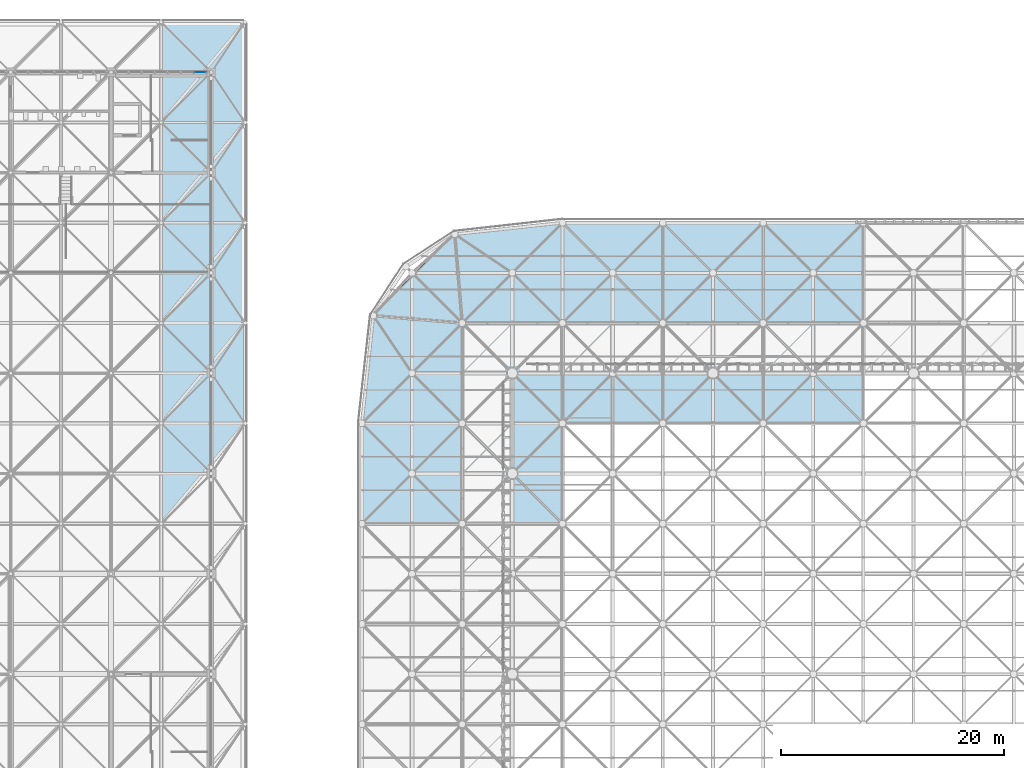
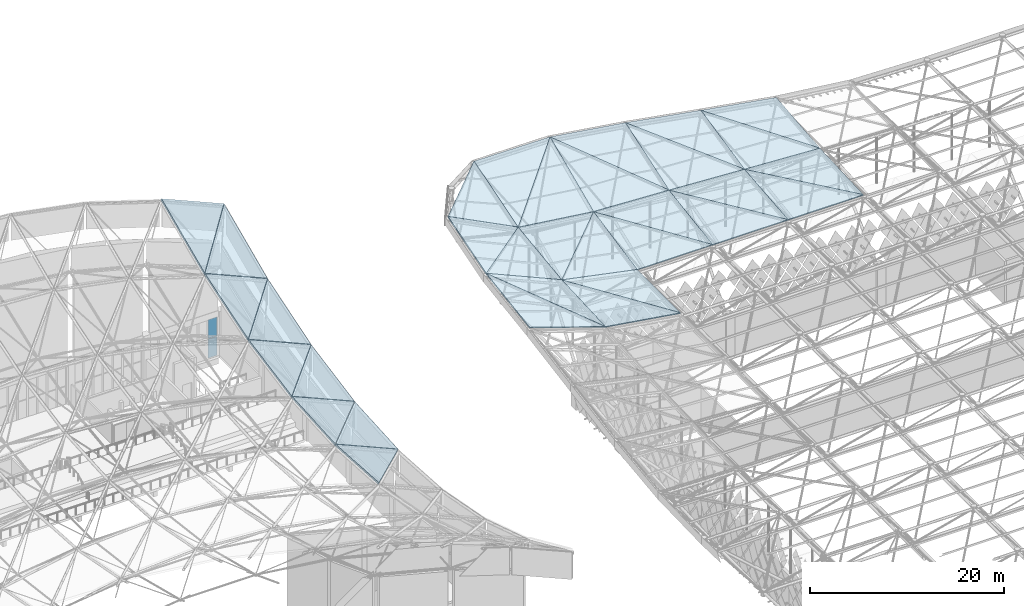
# One storey, part 245 of 437: 32 slabs, 2 plates, 1 element without a shape of its own.
"""IFC4 building model written with IfcOpenShell, lengths in metres."""

from ifc_helpers import new_model, si_unit, direction, frame, origin, origin_2d, place, context, subcontext, project, spatial, polyline, rectangle, outline, extrude, material, layer, layer_set, type_object, element, aggregate, save


model = new_model("IFC4")

# Units and contexts
model_context = context("Model", 3, precision=1e-05, world=origin(), true_north=direction((0.0, 1.0)))
body_context = subcontext(model_context, "Body", "Model", "MODEL_VIEW")
ifc_project = project(units=[si_unit("LENGTHUNIT", "METRE"), si_unit("AREAUNIT", "SQUARE_METRE"), si_unit("VOLUMEUNIT", "CUBIC_METRE"), si_unit("PLANEANGLEUNIT", "RADIAN"), si_unit("MASSUNIT", "GRAM", prefix="KILO")], contexts=[model_context])

# Site, building, storey
site_placement = place(None, origin())
site = spatial("IfcSite", under=ifc_project, at=site_placement, CompositionType="ELEMENT")
building_placement = place(site_placement, origin())
building = spatial("IfcBuilding", under=site, at=building_placement, Name="Opaline Strait Convention Centre", CompositionType="ELEMENT")
storey_placement = place(building_placement, frame((0.0, 0.0, 11.5)))
storey = spatial("IfcBuildingStorey", under=building, at=storey_placement, Name="L02", CompositionType="ELEMENT", Elevation=11.5)

# Curtain wall, plates
ifc_material_1 = material(Name="Aluminium framed double glazing", Category="aluminium")
ifc_layer_1 = layer(ifc_material_1, 0.199951171875)
ifc_layer_set_1 = layer_set([ifc_layer_1], Name="Aluminium framed double glazing")
curtain_wall_type = type_object("IfcCurtainWallType", Name="Curtain wall 1250", PredefinedType="NOTDEFINED", material=ifc_layer_set_1)
curtain_wall_placement = place(storey_placement, origin())
curtain_wall = element("IfcCurtainWall", 1, at=curtain_wall_placement, inside=storey, type_object=curtain_wall_type, Name="Curtain wall N-63-L02", PredefinedType="NOTDEFINED")
ifc_material_2 = material(Name="Double glazed unit low emissivity", Category="glass")
ifc_layer_2 = layer(ifc_material_2, 0.028076171875)
ifc_layer_set_2 = layer_set([ifc_layer_2], Name="Double glazed unit low emissivity")
plate_type = type_object("IfcPlateType", Name="Curtain wall glass panel 28", PredefinedType="CURTAIN_PANEL", material=ifc_layer_set_2)
plate_1_placement = place(storey_placement, frame((70.999267578125, 180.0, -0.219970703125), z_axis=(0.0, 0.0, 1.0), x_axis=(1.0, 0.0, 0.0)))
plate_1 = element("IfcPlate", 2, at=plate_1_placement, type_object=plate_type, Name="PCW panel 7.1", PredefinedType="CURTAIN_PANEL", context=body_context, shape_type="SweptSolid", body=[
    extrude(rectangle(XDim=1.08154296875, YDim=0.028076171875, at=origin_2d()), origin(), (0.0, 0.0, 1.0), 2.39990234375),
])
plate_2_placement = place(storey_placement, frame((70.999267578125, 180.0, 2.239990234375), z_axis=(0.0, 0.0, 1.0), x_axis=(1.0, 0.0, 0.0)))
plate_2 = element("IfcPlate", 3, at=plate_2_placement, type_object=plate_type, Name="PCW panel 7.2", PredefinedType="CURTAIN_PANEL", context=body_context, shape_type="SweptSolid", body=[
    extrude(rectangle(XDim=1.08154296875, YDim=0.028076171875, at=origin_2d()), origin(), (0.0, 0.0, 1.0), 2.39990234375),
])
aggregate(curtain_wall, [plate_1, plate_2])

# Slabs
ifc_material_3 = material(Name="Steel Q235-B insulated roof panel", Category="steel")
ifc_layer_3 = layer(ifc_material_3, 0.1201171875)
ifc_layer_set_3 = layer_set([ifc_layer_3], Name="Steel Q235-B insulated roof panel")
slab_type_1 = type_object("IfcSlabType", Name="Insulated roof panel 120 steel Q235B facings", PredefinedType="ROOF", material=ifc_layer_set_3)
slab_1_placement = place(storey_placement, frame((94.5, 139.5, 19.93603515625), z_axis=(0.402256267208, -0.044328561267, 0.91445331983), x_axis=(0.0, 0.998827130709, 0.048418622032)))
element("IfcSlab", 4, at=slab_1_placement, inside=storey, type_object=slab_type_1, Name="EXB-RF-D-0-11a", PredefinedType="ROOF", context=body_context, shape_type="SweptSolid", body=[
    extrude(outline(polyline([(0.0, 0.0), (9.010568218757447, -2.7755575615628914e-17), (9.202256786840037, 9.830402472653937), (0.0, 0.0)])), origin(), (0.0, 0.0, -1.0), 0.1201171875),
])
slab_2_placement = place(storey_placement, frame((85.5, 139.5, 22.975830078125), z_axis=(0.317843500893, -0.140110604475, 0.937733718842), x_axis=(0.94707580852, 0.0, -0.321009988809)))
element("IfcSlab", 5, at=slab_2_placement, inside=storey, type_object=slab_type_1, Name="EXB-RF-D-0-11b", PredefinedType="ROOF", context=body_context, shape_type="SweptSolid", body=[
    extrude(outline(polyline([(0.0, 0.0), (9.502935160026821, -5.551115123125783e-17), (-0.43167065877959254, 9.089661708239854), (0.0, 0.0)])), origin(), (0.0, 0.0, -1.0), 0.1201171875),
])
slab_3_placement = place(storey_placement, frame((103.5, 139.5, 18.507568359375), z_axis=(0.200080818622, 0.0, 0.979779396609), x_axis=(0.0, 1.0, 0.0)))
element("IfcSlab", 6, at=slab_3_placement, inside=storey, type_object=slab_type_1, Name="EXB-RF-D-1-11a", PredefinedType="ROOF", context=body_context, shape_type="SweptSolid", body=[
    extrude(outline(polyline([(0.0, 0.0), (9.0, 0.0), (9.0, 9.185741230268949), (0.0, 0.0)])), origin(), (0.0, 0.0, -1.0), 0.1201171875),
])
slab_4_placement = place(storey_placement, frame((94.5, 139.5, 19.90625), z_axis=(0.153677176429, -0.047870172727, 0.986960876635), x_axis=(0.988093660678, 0.0, -0.153853559361)))
element("IfcSlab", 7, at=slab_4_placement, inside=storey, type_object=slab_type_1, Name="EXB-RF-D-1-11b", PredefinedType="ROOF", context=body_context, shape_type="SweptSolid", body=[
    extrude(outline(polyline([(0.0, 0.0), (9.108448275870137, 0.0), (-0.06716068460396105, 9.010329747236243), (0.0, 0.0)])), origin(), (0.0, 0.0, -1.0), 0.1201171875),
])
slab_5_placement = place(storey_placement, frame((85.5, 148.5, 24.333251953125), z_axis=(0.399822259158, -0.118348966697, 0.908920064232), x_axis=(0.915353106268, 0.0, -0.402652071702)))
element("IfcSlab", 8, at=slab_5_placement, inside=storey, type_object=slab_type_1, Name="EXB-RF-D-0-12a", PredefinedType="ROOF", context=body_context, shape_type="SweptSolid", body=[
    extrude(outline(polyline([(0.0, 0.0), (9.832271216839686, 0.0), (9.36041332031348, 9.063699087078678), (0.0, 0.0)])), origin(), (0.0, 0.0, -1.0), 0.1201171875),
])
slab_6_placement = place(storey_placement, frame((85.5, 148.5, 24.3359375), z_axis=(0.41014099982, -0.1306186589, 0.90262014503), x_axis=(0.690740022732, 0.690740022732, -0.213907554783)))
element("IfcSlab", 9, at=slab_6_placement, inside=storey, type_object=slab_type_1, Name="EXB-RF-D-0-12b", PredefinedType="ROOF", context=body_context, shape_type="SweptSolid", body=[
    extrude(outline(polyline([(0.0, 0.0), (13.029504160489488, 1.1102230246251565e-15), (7.187331381614048, 6.6108389450031), (0.0, 0.0)])), origin(), (0.0, 0.0, -1.0), 0.1201171875),
])
slab_7_placement = place(storey_placement, frame((94.5, 148.5, 20.351318359375), z_axis=(0.196192334495, -0.196192334495, 0.960737808026), x_axis=(0.979779396609, 0.0, -0.200080818622)))
element("IfcSlab", 10, at=slab_7_placement, inside=storey, type_object=slab_type_1, Name="EXB-RF-D-1-12a", PredefinedType="ROOF", context=body_context, shape_type="SweptSolid", body=[
    extrude(outline(polyline([(0.0, 0.0), (9.185741230268949, -5.551115123125783e-17), (8.818014569481663, 9.17837780070145), (0.0, 0.0)])), origin(), (0.0, 0.0, -1.0), 0.1201171875),
])
slab_8_placement = place(storey_placement, frame((94.5, 148.5, 20.34326171875), z_axis=(0.128055354825, -0.128055354825, 0.983465125056), x_axis=(0.707106781187, 0.707106781187, 0.0)))
element("IfcSlab", 11, at=slab_8_placement, inside=storey, type_object=slab_type_1, Name="EXB-RF-D-1-12b", PredefinedType="ROOF", context=body_context, shape_type="SweptSolid", body=[
    extrude(outline(polyline([(0.0, 0.0), (12.727922061357857, 0.0), (6.3639610306789285, 6.4709575037721425), (0.0, 0.0)])), origin(), (0.0, 0.0, -1.0), 0.1201171875),
])
slab_9_placement = place(storey_placement, frame((112.5, 148.5, 18.50390625), z_axis=(0.047870172727, -0.153677176429, 0.986960876635), x_axis=(0.0, 0.988093660678, 0.153853559361)))
element("IfcSlab", 12, at=slab_9_placement, inside=storey, type_object=slab_type_1, Name="EXB-RF-D-2-12a", PredefinedType="ROOF", context=body_context, shape_type="SweptSolid", body=[
    extrude(outline(polyline([(0.0, 0.0), (9.108448275870137, 0.0), (9.175608960474097, 9.010329747236243), (0.0, 0.0)])), origin(), (0.0, 0.0, -1.0), 0.1201171875),
])
slab_10_placement = place(storey_placement, frame((103.5, 148.5, 18.505859375), z_axis=(0.0, -0.200080818622, 0.979779396609), x_axis=(1.0, 0.0, 0.0)))
element("IfcSlab", 13, at=slab_10_placement, inside=storey, type_object=slab_type_1, Name="EXB-RF-D-2-12b", PredefinedType="ROOF", context=body_context, shape_type="SweptSolid", body=[
    extrude(outline(polyline([(0.0, 0.0), (9.0, 0.0), (0.0, 9.185741230268949), (0.0, 0.0)])), origin(), (0.0, 0.0, -1.0), 0.1201171875),
])
slab_11_placement = place(storey_placement, frame((121.5, 148.5, 18.501953125), z_axis=(0.056491515248, -0.098213302273, 0.993560695661), x_axis=(0.0, 0.995149871115, 0.098370391991)))
element("IfcSlab", 14, at=slab_11_placement, inside=storey, type_object=slab_type_1, Name="EXB-RF-D-3-12a", PredefinedType="ROOF", context=body_context, shape_type="SweptSolid", body=[
    extrude(outline(polyline([(0.0, 0.0), (9.043863905563052, -6.938893903907228e-18), (9.0942018795895, 9.014395274641137), (0.0, 0.0)])), origin(), (0.0, 0.0, -1.0), 0.1201171875),
])
slab_12_placement = place(storey_placement, frame((112.5, 148.5, 18.50341796875), z_axis=(0.0, -0.153853559361, 0.988093660678), x_axis=(1.0, 0.0, 0.0)))
element("IfcSlab", 15, at=slab_12_placement, inside=storey, type_object=slab_type_1, Name="EXB-RF-D-3-12b", PredefinedType="ROOF", context=body_context, shape_type="SweptSolid", body=[
    extrude(outline(polyline([(0.0, 0.0), (9.0, 0.0), (0.0, 9.108448275870137), (0.0, 0.0)])), origin(), (0.0, 0.0, -1.0), 0.1201171875),
])
slab_13_placement = place(storey_placement, frame((130.5, 148.5, 18.500732421875), z_axis=(0.05409305744, -0.044540856702, 0.997542005743), x_axis=(0.0, 0.999004649677, 0.044606164642)))
element("IfcSlab", 16, at=slab_13_placement, inside=storey, type_object=slab_type_1, Name="EXB-RF-D-4-12a", PredefinedType="ROOF", context=body_context, shape_type="SweptSolid", body=[
    extrude(outline(polyline([(0.0, 0.0), (9.008967078292844, 3.469446951953614e-18), (9.030736541945101, 9.013196231669397), (0.0, 0.0)])), origin(), (0.0, 0.0, -1.0), 0.1201171875),
])
slab_14_placement = place(storey_placement, frame((121.5, 148.5, 18.50146484375), z_axis=(0.0, -0.098370391991, 0.995149871115), x_axis=(1.0, 0.0, 0.0)))
element("IfcSlab", 17, at=slab_14_placement, inside=storey, type_object=slab_type_1, Name="EXB-RF-D-4-12b", PredefinedType="ROOF", context=body_context, shape_type="SweptSolid", body=[
    extrude(outline(polyline([(0.0, 0.0), (9.0, 0.0), (0.0, 9.043863905563052), (0.0, 0.0)])), origin(), (0.0, 0.0, -1.0), 0.1201171875),
])
slab_15_placement = place(storey_placement, frame((86.527587890625, 158.166259765625, 25.28564453125), z_axis=(0.367715653141, -0.367715653141, 0.854148931317), x_axis=(0.903659000893, -0.075519381823, -0.421541496267)))
element("IfcSlab", 18, at=slab_15_placement, inside=storey, type_object=slab_type_1, Name="EXB-RF-D-0-13a", PredefinedType="ROOF", context=body_context, shape_type="SweptSolid", body=[
    extrude(outline(polyline([(0.0, 0.0), (8.822367841741974, 0.0), (6.050514218815863, 8.375619489212383), (0.0, 0.0)])), origin(), (0.0, 0.0, -1.0), 0.1201171875),
])
slab_16_placement = place(storey_placement, frame((94.5, 157.5, 21.53857421875), z_axis=(0.1183246559, -0.399823425729, 0.908922716211), x_axis=(0.99163263007, 0.0, -0.129091932284)))
element("IfcSlab", 19, at=slab_16_placement, inside=storey, type_object=slab_type_1, Name="EXB-RF-D-1-13a", PredefinedType="ROOF", context=body_context, shape_type="SweptSolid", body=[
    extrude(outline(polyline([(0.0, 0.0), (9.075941762188638, -5.551115123125783e-17), (8.564868819339026, 9.818979668406548), (0.0, 0.0)])), origin(), (0.0, 0.0, -1.0), 0.1201171875),
])
slab_17_placement = place(storey_placement, frame((94.5, 157.5, 21.541015625), z_axis=(0.1306186589, -0.41014099982, 0.90262014503), x_axis=(0.690740022732, 0.690740022732, 0.213907554783)))
element("IfcSlab", 20, at=slab_17_placement, inside=storey, type_object=slab_type_1, Name="EXB-RF-D-1-13b", PredefinedType="ROOF", context=body_context, shape_type="SweptSolid", body=[
    extrude(outline(polyline([(0.0, 0.0), (13.029504160489488, -1.1102230246251565e-15), (5.842172778875442, 6.610838945003099), (0.0, 0.0)])), origin(), (0.0, 0.0, -1.0), 0.1201171875),
])
slab_18_placement = place(storey_placement, frame((112.5, 157.5, 19.92138671875), z_axis=(0.140085666053, -0.317844633618, 0.937737060719), x_axis=(0.0, 0.94707580852, 0.321009988809)))
element("IfcSlab", 21, at=slab_18_placement, inside=storey, type_object=slab_type_1, Name="EXB-RF-D-2-13a", PredefinedType="ROOF", context=body_context, shape_type="SweptSolid", body=[
    extrude(outline(polyline([(0.0, 0.0), (9.502935160026821, 5.551115123125783e-17), (9.934527447227115, 9.089629314793871), (0.0, 0.0)])), origin(), (0.0, 0.0, -1.0), 0.1201171875),
])
slab_19_placement = place(storey_placement, frame((103.5, 157.5, 20.364501953125), z_axis=(0.044353761183, -0.402235032208, 0.914461438626), x_axis=(0.998825819985, 0.0, -0.048445653378)))
element("IfcSlab", 22, at=slab_19_placement, inside=storey, type_object=slab_type_1, Name="EXB-RF-D-2-13b", PredefinedType="ROOF", context=body_context, shape_type="SweptSolid", body=[
    extrude(outline(polyline([(0.0, 0.0), (9.010580043009819, 0.0), (-0.19178375720878635, 9.83030229615195), (0.0, 0.0)])), origin(), (0.0, 0.0, -1.0), 0.1201171875),
])
slab_20_placement = place(storey_placement, frame((121.5, 157.5, 19.402099609375), z_axis=(0.169488923722, -0.21150212327, 0.962569663239), x_axis=(0.0, 0.976700475679, 0.214607038113)))
element("IfcSlab", 23, at=slab_20_placement, inside=storey, type_object=slab_type_1, Name="EXB-RF-D-3-13a", PredefinedType="ROOF", context=body_context, shape_type="SweptSolid", body=[
    extrude(outline(polyline([(0.0, 0.0), (9.21469808207048, 5.551115123125783e-17), (9.55478946009597, 9.132122709473986), (0.0, 0.0)])), origin(), (0.0, 0.0, -1.0), 0.1201171875),
])
slab_21_placement = place(storey_placement, frame((112.5, 157.5, 19.917724609375), z_axis=(0.053770150344, -0.32056860625, 0.945697911396), x_axis=(0.998387513024, 0.0, -0.056765956687)))
element("IfcSlab", 24, at=slab_21_placement, inside=storey, type_object=slab_type_1, Name="EXB-RF-D-3-13b", PredefinedType="ROOF", context=body_context, shape_type="SweptSolid", body=[
    extrude(outline(polyline([(0.0, 0.0), (9.014535821610648, 0.0), (-0.17318051629800996, 9.501435404407394), (0.0, 0.0)])), origin(), (0.0, 0.0, -1.0), 0.1201171875),
])
slab_22_placement = place(storey_placement, frame((130.5, 157.5, 18.90869140625), z_axis=(0.166436376287, -0.102213644133, 0.980740181496), x_axis=(0.0, 0.994612846836, 0.103659466079)))
element("IfcSlab", 25, at=slab_22_placement, inside=storey, type_object=slab_type_1, Name="EXB-RF-D-4-13a", PredefinedType="ROOF", context=body_context, shape_type="SweptSolid", body=[
    extrude(outline(polyline([(0.0, 0.0), (9.048746985951277, 0.0), (9.207070623595767, 9.127305876129443), (0.0, 0.0)])), origin(), (0.0, 0.0, -1.0), 0.1201171875),
])
slab_23_placement = place(storey_placement, frame((121.5, 157.5, 19.39697265625), z_axis=(0.052862387402, -0.214306975953, 0.975334859449), x_axis=(0.998534450404, 0.0, -0.054119787107)))
element("IfcSlab", 26, at=slab_23_placement, inside=storey, type_object=slab_type_1, Name="EXB-RF-D-4-13b", PredefinedType="ROOF", context=body_context, shape_type="SweptSolid", body=[
    extrude(outline(polyline([(0.0, 0.0), (9.013209305256478, -1.3877787807814457e-17), (-0.10702399305798854, 9.214076546709567), (0.0, 0.0)])), origin(), (0.0, 0.0, -1.0), 0.1201171875),
])
ifc_material_4 = material(Name="Steel Q235-B profiled roof deck with insulation and membrane", Category="steel")
ifc_layer_4 = layer(ifc_material_4, 0.199951171875)
ifc_layer_set_4 = layer_set([ifc_layer_4], Name="Steel Q235-B profiled roof deck with insulation and membrane")
slab_type_2 = type_object("IfcSlabType", Name="Shell roof deck panel 200", PredefinedType="ROOF", material=ifc_layer_set_4)
slab_24_placement = place(storey_placement, frame((67.519287109375, 139.546142578125, 9.6357421875), z_axis=(0.397356792531, 0.058158786698, 0.915819379004), x_axis=(0.608555732012, 0.730274863924, -0.310416726604)))
element("IfcSlab", 27, at=slab_24_placement, inside=storey, type_object=slab_type_2, Name="PRD1 roof deck 8-4b", PredefinedType="ROOF", context=body_context, shape_type="SweptSolid", body=[
    extrude(outline(polyline([(0.0, 0.0), (12.229181783018026, 4.440892098500626e-16), (6.697888813050301, 5.934365367786246), (0.0, 0.0)])), origin(), (0.0, 0.0, -1.0), 0.199951171875),
])
slab_25_placement = place(storey_placement, frame((67.53857421875, 148.523193359375, 9.060302734375), z_axis=(0.397356792531, -0.058158786698, 0.915819379004), x_axis=(0.917372173394, 0.0, -0.398030520792)))
element("IfcSlab", 28, at=slab_25_placement, inside=storey, type_object=slab_type_2, Name="PRD1 roof deck 8-5a", PredefinedType="ROOF", context=body_context, shape_type="SweptSolid", body=[
    extrude(outline(polyline([(0.0, 0.0), (8.112453034563291, 0.0), (7.886714533635452, 8.945806224123345), (0.0, 0.0)])), origin(), (0.0, 0.0, -1.0), 0.199951171875),
])
slab_26_placement = place(storey_placement, frame((67.519287109375, 148.546142578125, 9.070068359375), z_axis=(0.397356792531, -0.058158786698, 0.915819379004), x_axis=(0.624030248267, 0.748844486487, -0.223199875237)))
element("IfcSlab", 29, at=slab_26_placement, inside=storey, type_object=slab_type_2, Name="PRD1 roof deck 8-5b", PredefinedType="ROOF", context=body_context, shape_type="SweptSolid", body=[
    extrude(outline(polyline([(0.0, 0.0), (11.925926175128735, -1.1102230246251565e-16), (6.561093263068996, 6.0852659813418), (0.0, 0.0)])), origin(), (0.0, 0.0, -1.0), 0.199951171875),
])
slab_27_placement = place(storey_placement, frame((67.53857421875, 157.523193359375, 9.6376953125), z_axis=(0.39208901457, -0.172138614499, 0.903678317794), x_axis=(0.917372173394, 0.0, -0.398030520792)))
element("IfcSlab", 30, at=slab_27_placement, inside=storey, type_object=slab_type_2, Name="PRD1 roof deck 8-6a", PredefinedType="ROOF", context=body_context, shape_type="SweptSolid", body=[
    extrude(outline(polyline([(0.0, 0.0), (8.112453034563291, 0.0), (7.435334707199891, 9.065994546450412), (0.0, 0.0)])), origin(), (0.0, 0.0, -1.0), 0.199951171875),
])
slab_28_placement = place(storey_placement, frame((67.519287109375, 157.546142578125, 9.650390625), z_axis=(0.392065593497, -0.172116642778, 0.903692664391), x_axis=(0.634722054518, 0.761674794287, -0.130305108328)))
element("IfcSlab", 31, at=slab_28_placement, inside=storey, type_object=slab_type_2, Name="PRD1 roof deck 8-6b", PredefinedType="ROOF", context=body_context, shape_type="SweptSolid", body=[
    extrude(outline(polyline([(0.0, 0.0), (11.725035578809981, -3.3306690738754696e-16), (6.580622139966288, 6.272585432322194), (0.0, 0.0)])), origin(), (0.0, 0.0, -1.0), 0.199951171875),
])
slab_29_placement = place(storey_placement, frame((67.53857421875, 166.523193359375, 11.360595703125), z_axis=(0.382153424554, -0.279619637498, 0.88077898387), x_axis=(0.917372173394, 0.0, -0.398030520792)))
element("IfcSlab", 32, at=slab_29_placement, inside=storey, type_object=slab_type_2, Name="PRD1 roof deck 8-7a", PredefinedType="ROOF", context=body_context, shape_type="SweptSolid", body=[
    extrude(outline(polyline([(0.0, 0.0), (8.112453034563291, 0.0), (6.983954880764329, 9.301700938491148), (0.0, 0.0)])), origin(), (0.0, 0.0, -1.0), 0.199951171875),
])
slab_30_placement = place(storey_placement, frame((67.519287109375, 166.546142578125, 11.376220703125), z_axis=(0.382153424554, -0.279619637498, 0.88077898387), x_axis=(0.639813276259, 0.767784327184, -0.033855552754)))
element("IfcSlab", 33, at=slab_30_placement, inside=storey, type_object=slab_type_2, Name="PRD1 roof deck 8-7b", PredefinedType="ROOF", context=body_context, shape_type="SweptSolid", body=[
    extrude(outline(polyline([(0.0, 0.0), (11.631735301565241, -5.551115123125783e-17), (6.76083646344557, 6.487390750278543), (0.0, 0.0)])), origin(), (0.0, 0.0, -1.0), 0.199951171875),
])
slab_31_placement = place(storey_placement, frame((67.53857421875, 175.523193359375, 14.22900390625), z_axis=(0.368571911623, -0.377550318462, 0.849476605323), x_axis=(0.917372173394, 0.0, -0.398030520792)))
element("IfcSlab", 34, at=slab_31_placement, inside=storey, type_object=slab_type_2, Name="PRD1 roof deck 8-8a", PredefinedType="ROOF", context=body_context, shape_type="SweptSolid", body=[
    extrude(outline(polyline([(0.0, 0.0), (8.112453034563291, -2.220446049250313e-16), (6.532575054328767, 9.644459481906674), (0.0, 0.0)])), origin(), (0.0, 0.0, -1.0), 0.199951171875),
])
slab_32_placement = place(storey_placement, frame((67.519287109375, 175.546142578125, 14.24755859375), z_axis=(0.368571911623, -0.377550318462, 0.849476605323), x_axis=(0.638886365564, 0.766672022188, 0.063547008509)))
element("IfcSlab", 35, at=slab_32_placement, inside=storey, type_object=slab_type_2, Name="PRD1 roof deck 8-8b", PredefinedType="ROOF", context=body_context, shape_type="SweptSolid", body=[
    extrude(outline(polyline([(0.0, 0.0), (11.648610884503698, 1.6653345369377348e-16), (7.099123495110161, 6.71669998821924), (0.0, 0.0)])), origin(), (0.0, 0.0, -1.0), 0.199951171875),
])

save(model, "model.ifc")
